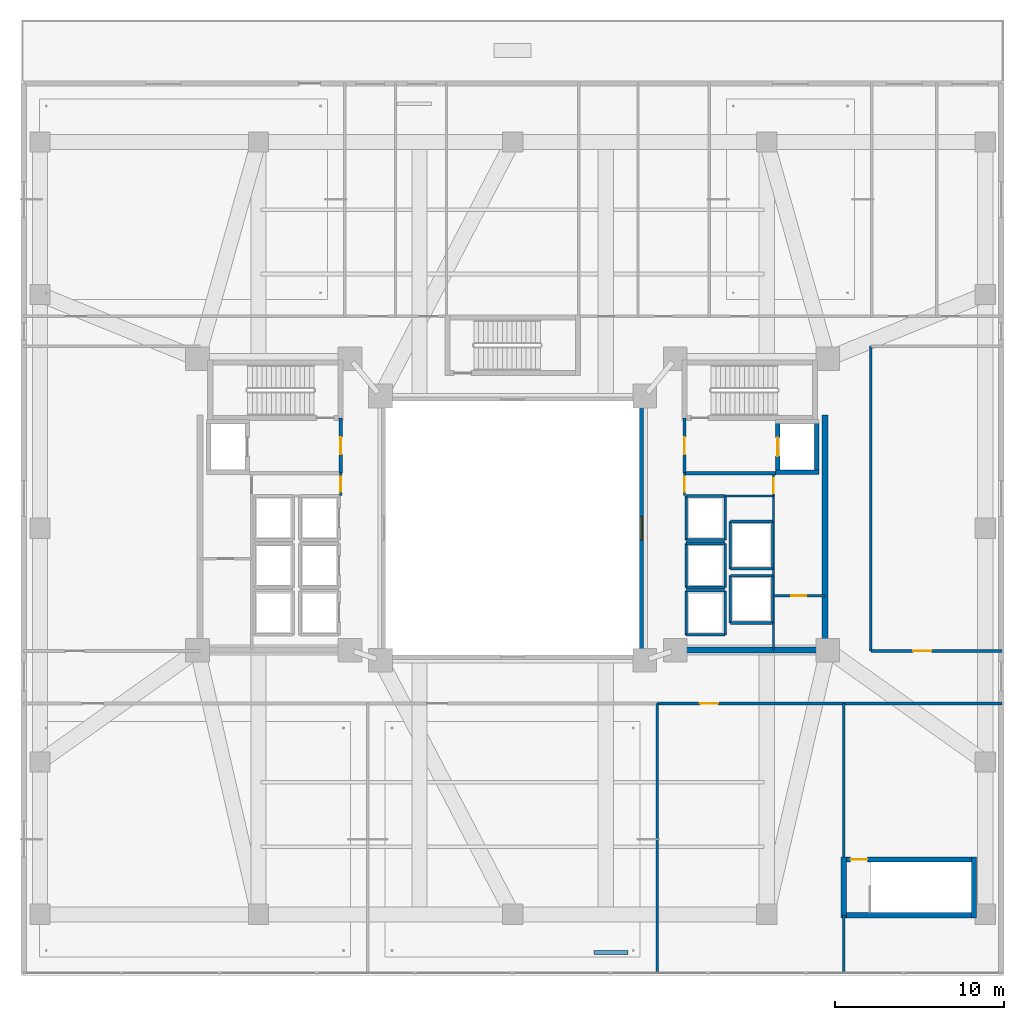
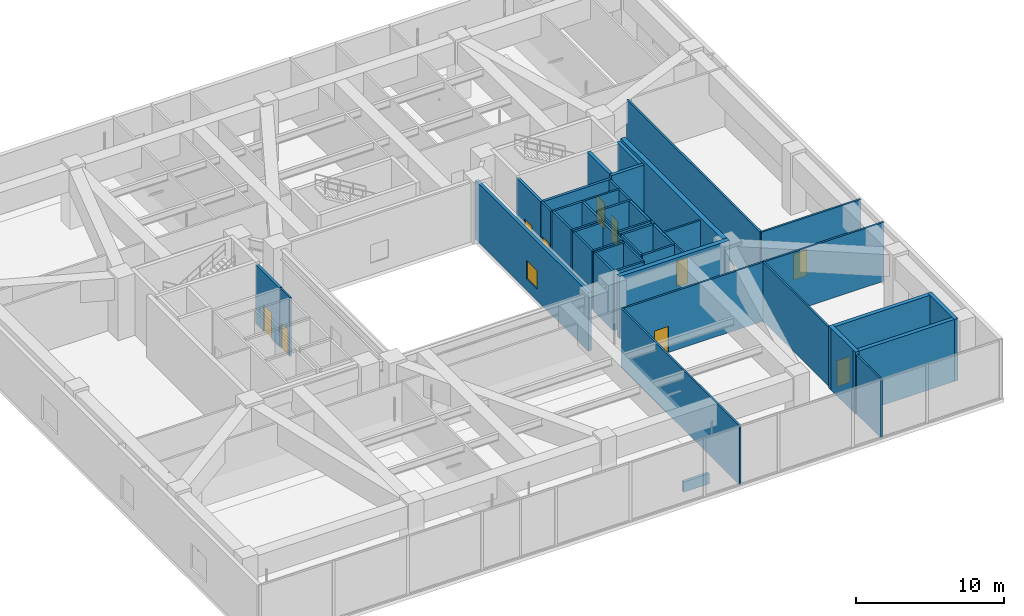
# One storey, part 11 of 21: 45 walls, 10 doors, 1 window, 11 openings.
"""IFC4 building model written with IfcOpenShell, lengths in metres."""

from ifc_helpers import new_model, si_unit, direction, frame, frame_2d, origin, place, context, subcontext, project, spatial, rectangle, extrude, material, layer, layer_set, type_object, element, fill, save


model = new_model("IFC4")

# Units and contexts
model_context = context("Model", 3, precision=1e-05, world=origin(), true_north=direction((0.0, 1.0)))
body_context = subcontext(model_context, "Body", "Model", "MODEL_VIEW")
ifc_project = project(units=[si_unit("LENGTHUNIT", "METRE"), si_unit("AREAUNIT", "SQUARE_METRE"), si_unit("VOLUMEUNIT", "CUBIC_METRE"), si_unit("PLANEANGLEUNIT", "RADIAN"), si_unit("MASSUNIT", "GRAM", prefix="KILO")], contexts=[model_context])

# Site, building, storey
site_placement = place(None, origin())
site = spatial("IfcSite", under=ifc_project, at=site_placement, CompositionType="ELEMENT")
building_placement = place(site_placement, origin())
building = spatial("IfcBuilding", under=site, at=building_placement, Name="Tarnavaz Court Tower", CompositionType="ELEMENT")
storey_placement = place(building_placement, frame((0.0, 0.0, 18.89990234375)))
storey = spatial("IfcBuildingStorey", under=building, at=storey_placement, Name="L04", CompositionType="ELEMENT", Elevation=18.89990234375)

# Wall, opening, door
ifc_material_1 = material(Name="Concrete C60/75", Category="concrete")
ifc_layer_1 = layer(ifc_material_1, 0.25)
ifc_layer_set_1 = layer_set([ifc_layer_1], Name="Concrete C60/75")
wall_type_1 = type_object("IfcWallType", Name="WL-CORE-250-C60", PredefinedType="SHEAR", material=ifc_layer_set_1)
wall_1_placement = place(storey_placement, frame((15.64990234375, 3.175048828125, 0.0), z_axis=(0.0, 0.0, 1.0), x_axis=(0.0, 1.0, 0.0)))
wall_1 = element("IfcWall", 1, at=wall_1_placement, inside=storey, type_object=wall_type_1, Name="L04 Lift FL-E1 Shaft Wall 049", PredefinedType="SHEAR", context=body_context, shape_type="SweptSolid", body=[
    extrude(rectangle(XDim=3.25, YDim=0.25, at=frame_2d((1.625, 0.0))), origin(), (0.0, 0.0, 1.0), 5.10009765625),
])
opening_1_placement = place(wall_1_placement, frame((1.074951171875, 0.0, 0.0)))
opening_1 = element("IfcOpeningElement", 2, at=opening_1_placement, cuts=wall_1, Name="Opening LD1", PredefinedType="OPENING", context=body_context, shape_type="SweptSolid", body=[
    extrude(rectangle(XDim=1.10009765625, YDim=2.14990234375, at=frame_2d((0.550048828125, 1.074951171875))), frame((0.0, 0.135009765625, 0.0), z_axis=(0.0, -1.0, 0.0), x_axis=(1.0, 0.0, 0.0)), (0.0, 0.0, 1.0), 0.27001953125),
])
ifc_material_2 = material(Name="Stainless Steel", Category="steel")
door_type_1 = type_object("IfcDoorType", Name="DR-LD-1100", OperationType="NOTDEFINED", PredefinedType="DOOR", material=ifc_material_2)
door_1_placement = place(opening_1_placement, origin())
door_1 = element("IfcDoor", 3, at=door_1_placement, inside=storey, type_object=door_type_1, Name="L04 Lift Landing Door LD-FL-E1", OperationType="SLIDING_TO_LEFT", OverallHeight=2.14990234375, OverallWidth=1.10009765625, PredefinedType="DOOR", context=body_context, shape_type="SweptSolid", body=[
    extrude(rectangle(XDim=1.10009765625, YDim=2.14990234375, at=frame_2d((0.550048828125, 1.074951171875))), frame((0.0, 0.02490234375, 0.0), z_axis=(0.0, -1.0, 0.0), x_axis=(1.0, 0.0, 0.0)), (0.0, 0.0, 1.0), 0.050048828125),
])
fill(opening_1, door_1)

# Walls
wall_2_placement = place(storey_placement, frame((17.949951171875, 3.175048828125, 0.0), z_axis=(0.0, 0.0, 1.0), x_axis=(0.0, 1.0, 0.0)))
element("IfcWall", 4, at=wall_2_placement, inside=storey, type_object=wall_type_1, Name="L04 Lift FL-E1 Shaft Wall 050", PredefinedType="SHEAR", context=body_context, shape_type="SweptSolid", body=[
    extrude(rectangle(XDim=3.25, YDim=0.25, at=frame_2d((1.625, 0.0))), origin(), (0.0, 0.0, 1.0), 5.10009765625),
])
wall_3_placement = place(storey_placement, frame((15.52490234375, 3.300048828125, 0.0), z_axis=(0.0, 0.0, 1.0), x_axis=(1.0, 0.0, 0.0)))
element("IfcWall", 5, at=wall_3_placement, inside=storey, type_object=wall_type_1, Name="L04 Lift FL-E1 Shaft Wall 051", PredefinedType="SHEAR", context=body_context, shape_type="SweptSolid", body=[
    extrude(rectangle(XDim=2.550048828125, YDim=0.25, at=frame_2d((1.27490234375, 0.0))), origin(), (0.0, 0.0, 1.0), 5.10009765625),
])

# Wall, opening, door
ifc_layer_2 = layer(ifc_material_1, 0.300048828125)
ifc_layer_set_2 = layer_set([ifc_layer_2], Name="Concrete C60/75")
wall_type_2 = type_object("IfcWallType", Name="WL-CORE-300-C60", PredefinedType="SHEAR", material=ifc_layer_set_2)
wall_4_placement = place(storey_placement, frame((19.39990234375, -19.56005859375, 0.0), z_axis=(0.0, 0.0, 1.0), x_axis=(1.0, 0.0, 0.0)))
wall_4 = element("IfcWall", 6, at=wall_4_placement, inside=storey, type_object=wall_type_2, Name="L04 Podium Stair Core Wall 013", PredefinedType="SHEAR", context=body_context, shape_type="SweptSolid", body=[
    extrude(rectangle(XDim=8.0, YDim=0.300048828125, at=frame_2d((4.0, 0.0))), origin(), (0.0, 0.0, 1.0), 5.10009765625),
])
opening_2_placement = place(wall_4_placement, frame((0.550048828125, 0.0, 0.0)))
opening_2 = element("IfcOpeningElement", 7, at=opening_2_placement, cuts=wall_4, Name="Opening D01", PredefinedType="OPENING", context=body_context, shape_type="SweptSolid", body=[
    extrude(rectangle(XDim=1.0, YDim=2.14990234375, at=frame_2d((0.5, 1.074951171875))), frame((0.0, 0.159912109375, 0.0), z_axis=(0.0, -1.0, 0.0), x_axis=(1.0, 0.0, 0.0)), (0.0, 0.0, 1.0), 0.320068359375),
])
ifc_material_3 = material(Name="Fire-Rated Hardwood Timber Core", Category="wood")
door_type_2 = type_object("IfcDoorType", Name="DR-FD90-1000", OperationType="NOTDEFINED", PredefinedType="DOOR", material=ifc_material_3)
door_2_placement = place(opening_2_placement, origin())
door_2 = element("IfcDoor", 8, at=door_2_placement, inside=storey, type_object=door_type_2, Name="L04 Stair ST-P1 Exit Door", OperationType="SINGLE_SWING_RIGHT", OverallHeight=2.14990234375, OverallWidth=1.0, PredefinedType="DOOR", context=body_context, shape_type="SweptSolid", body=[
    extrude(rectangle(XDim=1.0, YDim=2.14990234375, at=frame_2d((0.5, 1.074951171875))), frame((0.0, 0.02490234375, 0.0), z_axis=(0.0, -1.0, 0.0), x_axis=(1.0, 0.0, 0.0)), (0.0, 0.0, 1.0), 0.050048828125),
])
fill(opening_2, door_2)

# Walls
wall_5_placement = place(storey_placement, frame((19.39990234375, -22.85009765625, 0.0), z_axis=(0.0, 0.0, 1.0), x_axis=(1.0, 0.0, 0.0)))
element("IfcWall", 9, at=wall_5_placement, inside=storey, type_object=wall_type_2, Name="L04 Podium Stair Core Wall 014", PredefinedType="SHEAR", context=body_context, shape_type="SweptSolid", body=[
    extrude(rectangle(XDim=8.0, YDim=0.300048828125, at=frame_2d((4.0, 0.0))), origin(), (0.0, 0.0, 1.0), 5.10009765625),
])
for number, where, z_axis, x_axis, name in (
    (10, (19.550048828125, -23.0, 0.0), (0.0, 0.0, 1.0), (0.0, 1.0, 0.0), "L04 Podium Stair Core Wall 015"),
    (11, (27.25, -23.0, 0.0), (0.0, 0.0, 1.0), (0.0, 1.0, 0.0), "L04 Podium Stair Core Wall 016"),
):
    element("IfcWall", number, at=place(storey_placement, frame(where, z_axis=z_axis, x_axis=x_axis)), inside=storey, type_object=wall_type_2, Name=name, PredefinedType="SHEAR", context=body_context, shape_type="SweptSolid", body=[
        extrude(rectangle(XDim=3.590087890625, YDim=0.300048828125, at=frame_2d((1.794921875, 0.0))), origin(), (0.0, 0.0, 1.0), 5.10009765625),
    ])
ifc_layer_3 = layer(ifc_material_1, 0.35009765625)
ifc_layer_set_3 = layer_set([ifc_layer_3], Name="Concrete C60/75")
wall_type_3 = type_object("IfcWallType", Name="WL-CORE-350-C60", PredefinedType="SHEAR", material=ifc_layer_set_3)
wall_6_placement = place(storey_placement, frame((18.449951171875, -7.375, 0.0), z_axis=(0.0, 0.0, 1.0), x_axis=(0.0, 1.0, 0.0)))
element("IfcWall", 12, at=wall_6_placement, inside=storey, type_object=wall_type_3, Name="L04 East Core Shear Wall 075", PredefinedType="SHEAR", context=body_context, shape_type="SweptSolid", body=[
    extrude(rectangle(XDim=14.050048828125, YDim=0.35009765625, at=frame_2d((7.02490234375, 0.0))), origin(), (0.0, 0.0, 1.0), 5.10009765625),
])
wall_7_placement = place(storey_placement, frame((10.074951171875, -7.199951171875, 0.0), z_axis=(0.0, 0.0, 1.0), x_axis=(1.0, 0.0, 0.0)))
element("IfcWall", 13, at=wall_7_placement, inside=storey, type_object=wall_type_3, Name="L04 East Core South Shear Wall 076", PredefinedType="SHEAR", context=body_context, shape_type="SweptSolid", body=[
    extrude(rectangle(XDim=8.550048828125, YDim=0.35009765625, at=frame_2d((4.27490234375, 0.0))), origin(), (0.0, 0.0, 1.0), 5.10009765625),
])
ifc_material_4 = material(Name="Gypsum Fire-Board on Acoustic Metal Stud", Category="masonry")
ifc_layer_4 = layer(ifc_material_4, 0.14990234375)
ifc_layer_set_4 = layer_set([ifc_layer_4], Name="Gypsum Fire-Board on Acoustic Metal Stud")
wall_type_4 = type_object("IfcWallType", Name="WL-FIRE-150", PredefinedType="PARTITIONING", material=ifc_layer_set_4)
wall_8_placement = place(storey_placement, frame((21.14990234375, -7.25, 0.0), z_axis=(0.0, 0.0, 1.0), x_axis=(0.0, 1.0, 0.0)))
element("IfcWall", 14, at=wall_8_placement, inside=storey, type_object=wall_type_4, Name="L04 East Outer Link Wall 087", PredefinedType="PARTITIONING", context=body_context, shape_type="SweptSolid", body=[
    extrude(rectangle(XDim=18.0, YDim=0.14990234375, at=frame_2d((9.0, 0.0))), origin(), (0.0, 0.0, 1.0), 4.85009765625),
])

# Wall, opening, door
wall_9_placement = place(storey_placement, frame((8.550048828125, -10.35009765625, 0.0), z_axis=(0.0, 0.0, 1.0), x_axis=(1.0, 0.0, 0.0)))
wall_9 = element("IfcWall", 15, at=wall_9_placement, inside=storey, type_object=wall_type_4, Name="L04 SE Corridor Wall 090", PredefinedType="PARTITIONING", context=body_context, shape_type="SweptSolid", body=[
    extrude(rectangle(XDim=20.329833984375, YDim=0.14990234375, at=frame_2d((10.1650390625, 0.0))), origin(), (0.0, 0.0, 1.0), 4.85009765625),
])
opening_3_placement = place(wall_9_placement, frame((2.5, 0.0, 0.0)))
opening_3 = element("IfcOpeningElement", 16, at=opening_3_placement, cuts=wall_9, Name="Opening D12", PredefinedType="OPENING", context=body_context, shape_type="SweptSolid", body=[
    extrude(rectangle(XDim=1.080078125, YDim=2.14990234375, at=frame_2d((0.5400390625, 1.074951171875))), frame((0.0, 0.0849609375, 0.0), z_axis=(0.0, -1.0, 0.0), x_axis=(1.0, 0.0, 0.0)), (0.0, 0.0, 1.0), 0.169921875),
])
ifc_material_5 = material(Name="Engineered Oak Timber", Category="wood")
door_type_3 = type_object("IfcDoorType", Name="DR-INT-1100", OperationType="NOTDEFINED", PredefinedType="DOOR", material=ifc_material_5)
door_3_placement = place(opening_3_placement, origin())
door_3 = element("IfcDoor", 17, at=door_3_placement, inside=storey, type_object=door_type_3, Name="L04 South-East Treatment Door", OperationType="SINGLE_SWING_RIGHT", OverallHeight=2.14990234375, OverallWidth=1.080078125, PredefinedType="DOOR", context=body_context, shape_type="SweptSolid", body=[
    extrude(rectangle(XDim=1.080078125, YDim=2.14990234375, at=frame_2d((0.5400390625, 1.074951171875))), frame((0.0, 0.02490234375, 0.0), z_axis=(0.0, -1.0, 0.0), x_axis=(1.0, 0.0, 0.0)), (0.0, 0.0, 1.0), 0.050048828125),
])
fill(opening_3, door_3)

wall_10_placement = place(storey_placement, frame((21.14990234375, -7.25, 0.0), z_axis=(0.0, 0.0, 1.0), x_axis=(1.0, 0.0, 0.0)))
wall_10 = element("IfcWall", 18, at=wall_10_placement, inside=storey, type_object=wall_type_4, Name="L04 Interior Partition 105", PredefinedType="PARTITIONING", context=body_context, shape_type="SweptSolid", body=[
    extrude(rectangle(XDim=7.72998046875, YDim=0.14990234375, at=frame_2d((3.864990234375, 0.0))), origin(), (0.0, 0.0, 1.0), 4.85009765625),
])
opening_4_placement = place(wall_10_placement, frame((2.5, 0.0, 0.0)))
opening_4 = element("IfcOpeningElement", 19, at=opening_4_placement, cuts=wall_10, Name="Opening D12", PredefinedType="OPENING", context=body_context, shape_type="SweptSolid", body=[
    extrude(rectangle(XDim=1.080078125, YDim=2.14990234375, at=frame_2d((0.5400390625, 1.074951171875))), frame((0.0, 0.0849609375, 0.0), z_axis=(0.0, -1.0, 0.0), x_axis=(1.0, 0.0, 0.0)), (0.0, 0.0, 1.0), 0.169921875),
])
door_4_placement = place(opening_4_placement, origin())
door_4 = element("IfcDoor", 20, at=door_4_placement, inside=storey, type_object=door_type_3, Name="L04 East Clinical Lounge Door", OperationType="SINGLE_SWING_RIGHT", OverallHeight=2.14990234375, OverallWidth=1.080078125, PredefinedType="DOOR", context=body_context, shape_type="SweptSolid", body=[
    extrude(rectangle(XDim=1.080078125, YDim=2.14990234375, at=frame_2d((0.5400390625, 1.074951171875))), frame((0.0, 0.02490234375, 0.0), z_axis=(0.0, -1.0, 0.0), x_axis=(1.0, 0.0, 0.0)), (0.0, 0.0, 1.0), 0.050048828125),
])
fill(opening_4, door_4)

ifc_material_6 = material(Name="Autoclaved Aerated Concrete Blockwork", Category="masonry")
ifc_layer_5 = layer(ifc_material_6, 0.199951171875)
ifc_layer_set_5 = layer_set([ifc_layer_5], Name="Autoclaved Aerated Concrete Blockwork")
wall_type_5 = type_object("IfcWallType", Name="WL-FIRE-200", PredefinedType="SOLIDWALL", material=ifc_layer_set_5)
wall_11_placement = place(storey_placement, frame((-10.14990234375, 3.25, 0.0), z_axis=(0.0, 0.0, 1.0), x_axis=(0.0, 1.0, 0.0)))
wall_11 = element("IfcWall", 21, at=wall_11_placement, inside=storey, type_object=wall_type_5, Name="L04 West Firefighting Lobby Wall 018", PredefinedType="SOLIDWALL", context=body_context, shape_type="SweptSolid", body=[
    extrude(rectangle(XDim=3.25, YDim=0.199951171875, at=frame_2d((1.625, 0.0))), origin(), (0.0, 0.0, 1.0), 4.85009765625),
])
opening_5_placement = place(wall_11_placement, frame((1.10009765625, 0.0, 0.0)))
opening_5 = element("IfcOpeningElement", 22, at=opening_5_placement, cuts=wall_11, Name="Opening D05", PredefinedType="OPENING", context=body_context, shape_type="SweptSolid", body=[
    extrude(rectangle(XDim=1.02001953125, YDim=2.14990234375, at=frame_2d((0.510009765625, 1.074951171875))), frame((0.0, 0.10986328125, 0.0), z_axis=(0.0, -1.0, 0.0), x_axis=(1.0, 0.0, 0.0)), (0.0, 0.0, 1.0), 0.219970703125),
])
door_type_4 = type_object("IfcDoorType", Name="DR-FD60-1000", OperationType="NOTDEFINED", PredefinedType="DOOR", material=ifc_material_3)
door_5_placement = place(opening_5_placement, origin())
door_5 = element("IfcDoor", 23, at=door_5_placement, inside=storey, type_object=door_type_4, Name="L04 West Firefighting Lobby Door", OperationType="SINGLE_SWING_RIGHT", OverallHeight=2.14990234375, OverallWidth=1.02001953125, PredefinedType="DOOR", context=body_context, shape_type="SweptSolid", body=[
    extrude(rectangle(XDim=1.02001953125, YDim=2.14990234375, at=frame_2d((0.510009765625, 1.074951171875))), frame((0.0, 0.02490234375, 0.0), z_axis=(0.0, -1.0, 0.0), x_axis=(1.0, 0.0, 0.0)), (0.0, 0.0, 1.0), 0.050048828125),
])
fill(opening_5, door_5)

# Wall
wall_12_placement = place(storey_placement, frame((10.14990234375, 3.25, 0.0), z_axis=(0.0, 0.0, 1.0), x_axis=(1.0, 0.0, 0.0)))
element("IfcWall", 24, at=wall_12_placement, inside=storey, type_object=wall_type_5, Name="L04 East Firefighting Lobby Wall 019", PredefinedType="SOLIDWALL", context=body_context, shape_type="SweptSolid", body=[
    extrude(rectangle(XDim=5.400146484375, YDim=0.199951171875, at=frame_2d((2.7001953125, 0.0))), origin(), (0.0, 0.0, 1.0), 4.85009765625),
])

# Wall, opening, door
wall_13_placement = place(storey_placement, frame((10.14990234375, 3.25, 0.0), z_axis=(0.0, 0.0, 1.0), x_axis=(0.0, 1.0, 0.0)))
wall_13 = element("IfcWall", 25, at=wall_13_placement, inside=storey, type_object=wall_type_5, Name="L04 East Firefighting Lobby Wall 020", PredefinedType="SOLIDWALL", context=body_context, shape_type="SweptSolid", body=[
    extrude(rectangle(XDim=3.25, YDim=0.199951171875, at=frame_2d((1.625, 0.0))), origin(), (0.0, 0.0, 1.0), 4.85009765625),
])
opening_6_placement = place(wall_13_placement, frame((1.10009765625, 0.0, 0.0)))
opening_6 = element("IfcOpeningElement", 26, at=opening_6_placement, cuts=wall_13, Name="Opening D05", PredefinedType="OPENING", context=body_context, shape_type="SweptSolid", body=[
    extrude(rectangle(XDim=1.02001953125, YDim=2.14990234375, at=frame_2d((0.510009765625, 1.074951171875))), frame((0.0, 0.10986328125, 0.0), z_axis=(0.0, -1.0, 0.0), x_axis=(1.0, 0.0, 0.0)), (0.0, 0.0, 1.0), 0.219970703125),
])
door_6_placement = place(opening_6_placement, origin())
door_6 = element("IfcDoor", 27, at=door_6_placement, inside=storey, type_object=door_type_4, Name="L04 East Firefighting Lobby Door", OperationType="SINGLE_SWING_LEFT", OverallHeight=2.14990234375, OverallWidth=1.02001953125, PredefinedType="DOOR", context=body_context, shape_type="SweptSolid", body=[
    extrude(rectangle(XDim=1.02001953125, YDim=2.14990234375, at=frame_2d((0.510009765625, 1.074951171875))), frame((0.0, 0.02490234375, 0.0), z_axis=(0.0, -1.0, 0.0), x_axis=(1.0, 0.0, 0.0)), (0.0, 0.0, 1.0), 0.050048828125),
])
fill(opening_6, door_6)

# Wall
ifc_material_7 = material(Name="Precast Concrete C40/50", Category="concrete")
ifc_layer_6 = layer(ifc_material_7, 0.219970703125)
ifc_layer_set_6 = layer_set([ifc_layer_6], Name="Precast Concrete C40/50")
wall_type_6 = type_object("IfcWallType", Name="WL-PARAPET-220", PredefinedType="PARAPET", material=ifc_layer_set_6)
wall_14_placement = place(storey_placement, frame((4.800048828125, -25.050048828125, 0.0), z_axis=(0.0, 0.0, 1.0), x_axis=(1.0, 0.0, 0.0)))
element("IfcWall", 28, at=wall_14_placement, inside=storey, type_object=wall_type_6, Name="L04 South Prow Terracotta Parapet Upstand", PredefinedType="PARAPET", context=body_context, shape_type="SweptSolid", body=[
    extrude(rectangle(XDim=2.0, YDim=0.219970703125, at=frame_2d((1.0, 0.0))), origin(), (0.0, 0.0, 1.0), 0.85009765625),
])

# Wall, opening, door
ifc_material_8 = material(Name="Gypsum Plasterboard Acoustic Partition", Category="masonry")
ifc_layer_7 = layer(ifc_material_8, 0.139892578125)
ifc_layer_set_7 = layer_set([ifc_layer_7], Name="Gypsum Plasterboard Acoustic Partition")
wall_type_7 = type_object("IfcWallType", Name="WL-PART-150", PredefinedType="PARTITIONING", material=ifc_layer_set_7)
wall_15_placement = place(storey_placement, frame((-10.14990234375, 1.919921875, 0.0), z_axis=(0.0, 0.0, 1.0), x_axis=(0.0, 1.0, 0.0)))
wall_15 = element("IfcWall", 29, at=wall_15_placement, inside=storey, type_object=wall_type_7, Name="L04 Interior Partition 078", PredefinedType="PARTITIONING", context=body_context, shape_type="SweptSolid", body=[
    extrude(rectangle(XDim=1.330078125, YDim=0.139892578125, at=frame_2d((0.6650390625, 0.0))), origin(), (0.0, 0.0, 1.0), 4.85009765625),
])
opening_7_placement = place(wall_15_placement, frame((0.219970703125, 0.0, 0.0)))
opening_7 = element("IfcOpeningElement", 30, at=opening_7_placement, cuts=wall_15, Name="Opening D09", PredefinedType="OPENING", context=body_context, shape_type="SweptSolid", body=[
    extrude(rectangle(XDim=0.89990234375, YDim=2.080078125, at=frame_2d((0.449951171875, 1.0400390625))), frame((0.0, 0.079833984375, 0.0), z_axis=(0.0, -1.0, 0.0), x_axis=(1.0, 0.0, 0.0)), (0.0, 0.0, 1.0), 0.159912109375),
])
door_type_5 = type_object("IfcDoorType", Name="DR-FD30-900", OperationType="NOTDEFINED", PredefinedType="DOOR", material=ifc_material_3)
door_7_placement = place(opening_7_placement, origin())
door_7 = element("IfcDoor", 31, at=door_7_placement, inside=storey, type_object=door_type_5, Name="L04 West Core Service Lobby Door", OperationType="SINGLE_SWING_RIGHT", OverallHeight=2.080078125, OverallWidth=0.89990234375, PredefinedType="DOOR", context=body_context, shape_type="SweptSolid", body=[
    extrude(rectangle(XDim=0.89990234375, YDim=2.080078125, at=frame_2d((0.449951171875, 1.0400390625))), frame((0.0, 0.02490234375, 0.0), z_axis=(0.0, -1.0, 0.0), x_axis=(1.0, 0.0, 0.0)), (0.0, 0.0, 1.0), 0.050048828125),
])
fill(opening_7, door_7)

# Wall
wall_16_placement = place(storey_placement, frame((12.550048828125, 1.89990234375, 0.0), z_axis=(0.0, 0.0, 1.0), x_axis=(1.0, 0.0, 0.0)))
element("IfcWall", 32, at=wall_16_placement, inside=storey, type_object=wall_type_7, Name="L04 Interior Partition 081", PredefinedType="PARTITIONING", context=body_context, shape_type="SweptSolid", body=[
    extrude(rectangle(XDim=2.849853515625, YDim=0.139892578125, at=frame_2d((1.4248046875, 0.0))), origin(), (0.0, 0.0, 1.0), 4.85009765625),
])

# Wall, opening, door
wall_17_placement = place(storey_placement, frame((10.14990234375, 1.919921875, 0.0), z_axis=(0.0, 0.0, 1.0), x_axis=(0.0, 1.0, 0.0)))
wall_17 = element("IfcWall", 33, at=wall_17_placement, inside=storey, type_object=wall_type_7, Name="L04 Interior Partition 082", PredefinedType="PARTITIONING", context=body_context, shape_type="SweptSolid", body=[
    extrude(rectangle(XDim=1.330078125, YDim=0.139892578125, at=frame_2d((0.6650390625, 0.0))), origin(), (0.0, 0.0, 1.0), 4.85009765625),
])
opening_8_placement = place(wall_17_placement, frame((0.219970703125, 0.0, 0.0)))
opening_8 = element("IfcOpeningElement", 34, at=opening_8_placement, cuts=wall_17, Name="Opening D09", PredefinedType="OPENING", context=body_context, shape_type="SweptSolid", body=[
    extrude(rectangle(XDim=0.89990234375, YDim=2.080078125, at=frame_2d((0.449951171875, 1.0400390625))), frame((0.0, 0.079833984375, 0.0), z_axis=(0.0, -1.0, 0.0), x_axis=(1.0, 0.0, 0.0)), (0.0, 0.0, 1.0), 0.159912109375),
])
door_8_placement = place(opening_8_placement, origin())
door_8 = element("IfcDoor", 35, at=door_8_placement, inside=storey, type_object=door_type_5, Name="L04 East Core Service Lobby Door", OperationType="SINGLE_SWING_LEFT", OverallHeight=2.080078125, OverallWidth=0.89990234375, PredefinedType="DOOR", context=body_context, shape_type="SweptSolid", body=[
    extrude(rectangle(XDim=0.89990234375, YDim=2.080078125, at=frame_2d((0.449951171875, 1.0400390625))), frame((0.0, 0.02490234375, 0.0), z_axis=(0.0, -1.0, 0.0), x_axis=(1.0, 0.0, 0.0)), (0.0, 0.0, 1.0), 0.050048828125),
])
fill(opening_8, door_8)

wall_18_placement = place(storey_placement, frame((15.39990234375, -7.199951171875, 0.0), z_axis=(0.0, 0.0, 1.0), x_axis=(0.0, 1.0, 0.0)))
wall_18 = element("IfcWall", 36, at=wall_18_placement, inside=storey, type_object=wall_type_7, Name="L04 Interior Partition 083", PredefinedType="PARTITIONING", context=body_context, shape_type="SweptSolid", body=[
    extrude(rectangle(XDim=10.449951171875, YDim=0.139892578125, at=frame_2d((5.22509765625, 0.0))), origin(), (0.0, 0.0, 1.0), 4.85009765625),
])
opening_9_placement = place(wall_18_placement, frame((9.25, 0.0, 0.0)))
opening_9 = element("IfcOpeningElement", 37, at=opening_9_placement, cuts=wall_18, Name="Opening D09", PredefinedType="OPENING", context=body_context, shape_type="SweptSolid", body=[
    extrude(rectangle(XDim=0.89990234375, YDim=2.080078125, at=frame_2d((0.449951171875, 1.0400390625))), frame((0.0, 0.079833984375, 0.0), z_axis=(0.0, -1.0, 0.0), x_axis=(1.0, 0.0, 0.0)), (0.0, 0.0, 1.0), 0.159912109375),
])
door_9_placement = place(opening_9_placement, origin())
door_9 = element("IfcDoor", 38, at=door_9_placement, inside=storey, type_object=door_type_5, Name="L04 East Wet Riser Door", OperationType="SINGLE_SWING_RIGHT", OverallHeight=2.080078125, OverallWidth=0.89990234375, PredefinedType="DOOR", context=body_context, shape_type="SweptSolid", body=[
    extrude(rectangle(XDim=0.89990234375, YDim=2.080078125, at=frame_2d((0.449951171875, 1.0400390625))), frame((0.0, 0.02490234375, 0.0), z_axis=(0.0, -1.0, 0.0), x_axis=(1.0, 0.0, 0.0)), (0.0, 0.0, 1.0), 0.050048828125),
])
fill(opening_9, door_9)

wall_19_placement = place(storey_placement, frame((15.39990234375, -3.989990234375, 0.0), z_axis=(0.0, 0.0, 1.0), x_axis=(1.0, 0.0, 0.0)))
wall_19 = element("IfcWall", 39, at=wall_19_placement, inside=storey, type_object=wall_type_7, Name="L04 Interior Partition 084", PredefinedType="PARTITIONING", context=body_context, shape_type="SweptSolid", body=[
    extrude(rectangle(XDim=3.050048828125, YDim=0.139892578125, at=frame_2d((1.52490234375, 0.0))), origin(), (0.0, 0.0, 1.0), 4.85009765625),
])
opening_10_placement = place(wall_19_placement, frame((1.050048828125, 0.0, 0.0)))
opening_10 = element("IfcOpeningElement", 40, at=opening_10_placement, cuts=wall_19, Name="Opening D09", PredefinedType="OPENING", context=body_context, shape_type="SweptSolid", body=[
    extrude(rectangle(XDim=0.89990234375, YDim=2.080078125, at=frame_2d((0.449951171875, 1.0400390625))), frame((0.0, 0.079833984375, 0.0), z_axis=(0.0, -1.0, 0.0), x_axis=(1.0, 0.0, 0.0)), (0.0, 0.0, 1.0), 0.159912109375),
])
door_10_placement = place(opening_10_placement, origin())
door_10 = element("IfcDoor", 41, at=door_10_placement, inside=storey, type_object=door_type_5, Name="L04 East Electrical Plant Door", OperationType="SINGLE_SWING_LEFT", OverallHeight=2.080078125, OverallWidth=0.89990234375, PredefinedType="DOOR", context=body_context, shape_type="SweptSolid", body=[
    extrude(rectangle(XDim=0.89990234375, YDim=2.080078125, at=frame_2d((0.449951171875, 1.0400390625))), frame((0.0, 0.02490234375, 0.0), z_axis=(0.0, -1.0, 0.0), x_axis=(1.0, 0.0, 0.0)), (0.0, 0.0, 1.0), 0.050048828125),
])
fill(opening_10, door_10)

# Walls
wall_20_placement = place(storey_placement, frame((8.550048828125, -26.280029296875, 0.0), z_axis=(0.0, 0.0, 1.0), x_axis=(0.0, 1.0, 0.0)))
element("IfcWall", 42, at=wall_20_placement, inside=storey, type_object=wall_type_7, Name="L04 Interior Partition 100", PredefinedType="PARTITIONING", context=body_context, shape_type="SweptSolid", body=[
    extrude(rectangle(XDim=15.929931640625, YDim=0.139892578125, at=frame_2d((7.96484375, 0.0))), origin(), (0.0, 0.0, 1.0), 4.85009765625),
])
wall_21_placement = place(storey_placement, frame((19.550048828125, -26.280029296875, 0.0), z_axis=(0.0, 0.0, 1.0), x_axis=(0.0, 1.0, 0.0)))
element("IfcWall", 43, at=wall_21_placement, inside=storey, type_object=wall_type_7, Name="L04 Interior Partition 101", PredefinedType="PARTITIONING", context=body_context, shape_type="SweptSolid", body=[
    extrude(rectangle(XDim=3.429931640625, YDim=0.139892578125, at=frame_2d((1.71484375, 0.0))), origin(), (0.0, 0.0, 1.0), 4.85009765625),
])
wall_22_placement = place(storey_placement, frame((19.550048828125, -19.56005859375, 0.0), z_axis=(0.0, 0.0, 1.0), x_axis=(0.0, 1.0, 0.0)))
element("IfcWall", 44, at=wall_22_placement, inside=storey, type_object=wall_type_7, Name="L04 Interior Partition 102", PredefinedType="PARTITIONING", context=body_context, shape_type="SweptSolid", body=[
    extrude(rectangle(XDim=9.2099609375, YDim=0.139892578125, at=frame_2d((4.60498046875, 0.0))), origin(), (0.0, 0.0, 1.0), 4.85009765625),
])
ifc_layer_8 = layer(ifc_material_6, 0.159912109375)
ifc_layer_set_8 = layer_set([ifc_layer_8], Name="Autoclaved Aerated Concrete Blockwork")
wall_type_8 = type_object("IfcWallType", Name="WL-SHAFT-150", PredefinedType="SOLIDWALL", material=ifc_layer_set_8)
for number, where, z_axis, x_axis, name in (
    (45, (10.25, -6.300048828125, 0.0), (0.0, 0.0, 1.0), (0.0, 1.0, 0.0), "L04 Lift PL-M1 Shaft Wall 053"),
    (46, (12.550048828125, -6.300048828125, 0.0), (0.0, 0.0, 1.0), (0.0, 1.0, 0.0), "L04 Lift PL-M1 Shaft Wall 054"),
):
    element("IfcWall", number, at=place(storey_placement, frame(where, z_axis=z_axis, x_axis=x_axis)), inside=storey, type_object=wall_type_8, Name=name, PredefinedType="SOLIDWALL", context=body_context, shape_type="SweptSolid", body=[
        extrude(rectangle(XDim=2.60009765625, YDim=0.159912109375, at=frame_2d((1.300048828125, 0.0))), origin(), (0.0, 0.0, 1.0), 4.85009765625),
    ])
for number, where, z_axis, x_axis, name in (
    (47, (10.25, -6.300048828125, 0.0), (0.0, 0.0, 1.0), (1.0, 0.0, 0.0), "L04 Lift PL-M1 Shaft Wall 055"),
    (48, (10.25, -3.699951171875, 0.0), (0.0, 0.0, 1.0), (1.0, 0.0, 0.0), "L04 Lift PL-M1 Shaft Wall 056"),
):
    element("IfcWall", number, at=place(storey_placement, frame(where, z_axis=z_axis, x_axis=x_axis)), inside=storey, type_object=wall_type_8, Name=name, PredefinedType="SOLIDWALL", context=body_context, shape_type="SweptSolid", body=[
        extrude(rectangle(XDim=2.300048828125, YDim=0.159912109375, at=frame_2d((1.14990234375, 0.0))), origin(), (0.0, 0.0, 1.0), 4.85009765625),
    ])
for number, where, z_axis, x_axis, name in (
    (49, (10.25, -3.5, 0.0), (0.0, 0.0, 1.0), (0.0, 1.0, 0.0), "L04 Lift PL-M2 Shaft Wall 057"),
    (50, (12.550048828125, -3.5, 0.0), (0.0, 0.0, 1.0), (0.0, 1.0, 0.0), "L04 Lift PL-M2 Shaft Wall 058"),
):
    element("IfcWall", number, at=place(storey_placement, frame(where, z_axis=z_axis, x_axis=x_axis)), inside=storey, type_object=wall_type_8, Name=name, PredefinedType="SOLIDWALL", context=body_context, shape_type="SweptSolid", body=[
        extrude(rectangle(XDim=2.60009765625, YDim=0.159912109375, at=frame_2d((1.300048828125, 0.0))), origin(), (0.0, 0.0, 1.0), 4.85009765625),
    ])
for number, where, z_axis, x_axis, name in (
    (51, (10.25, -3.5, 0.0), (0.0, 0.0, 1.0), (1.0, 0.0, 0.0), "L04 Lift PL-M2 Shaft Wall 059"),
    (52, (10.25, -0.89990234375, 0.0), (0.0, 0.0, 1.0), (1.0, 0.0, 0.0), "L04 Lift PL-M2 Shaft Wall 060"),
):
    element("IfcWall", number, at=place(storey_placement, frame(where, z_axis=z_axis, x_axis=x_axis)), inside=storey, type_object=wall_type_8, Name=name, PredefinedType="SOLIDWALL", context=body_context, shape_type="SweptSolid", body=[
        extrude(rectangle(XDim=2.300048828125, YDim=0.159912109375, at=frame_2d((1.14990234375, 0.0))), origin(), (0.0, 0.0, 1.0), 4.85009765625),
    ])
for number, where, z_axis, x_axis, name in (
    (53, (10.25, -0.699951171875, 0.0), (0.0, 0.0, 1.0), (0.0, 1.0, 0.0), "L04 Lift PL-M3 Shaft Wall 061"),
    (54, (12.550048828125, -0.699951171875, 0.0), (0.0, 0.0, 1.0), (0.0, 1.0, 0.0), "L04 Lift PL-M3 Shaft Wall 062"),
):
    element("IfcWall", number, at=place(storey_placement, frame(where, z_axis=z_axis, x_axis=x_axis)), inside=storey, type_object=wall_type_8, Name=name, PredefinedType="SOLIDWALL", context=body_context, shape_type="SweptSolid", body=[
        extrude(rectangle(XDim=2.599853515625, YDim=0.159912109375, at=frame_2d((1.2998046875, 0.0))), origin(), (0.0, 0.0, 1.0), 4.85009765625),
    ])
for number, where, z_axis, x_axis, name in (
    (55, (10.25, -0.699951171875, 0.0), (0.0, 0.0, 1.0), (1.0, 0.0, 0.0), "L04 Lift PL-M3 Shaft Wall 063"),
    (56, (10.25, 1.89990234375, 0.0), (0.0, 0.0, 1.0), (1.0, 0.0, 0.0), "L04 Lift PL-M3 Shaft Wall 064"),
):
    element("IfcWall", number, at=place(storey_placement, frame(where, z_axis=z_axis, x_axis=x_axis)), inside=storey, type_object=wall_type_8, Name=name, PredefinedType="SOLIDWALL", context=body_context, shape_type="SweptSolid", body=[
        extrude(rectangle(XDim=2.300048828125, YDim=0.159912109375, at=frame_2d((1.14990234375, 0.0))), origin(), (0.0, 0.0, 1.0), 4.85009765625),
    ])
for number, where, z_axis, x_axis, name in (
    (57, (12.85009765625, -5.60009765625, 0.0), (0.0, 0.0, 1.0), (0.0, 1.0, 0.0), "L04 Lift PL-OB1 Shaft Wall 065"),
    (58, (15.35009765625, -5.60009765625, 0.0), (0.0, 0.0, 1.0), (0.0, 1.0, 0.0), "L04 Lift PL-OB1 Shaft Wall 066"),
):
    element("IfcWall", number, at=place(storey_placement, frame(where, z_axis=z_axis, x_axis=x_axis)), inside=storey, type_object=wall_type_8, Name=name, PredefinedType="SOLIDWALL", context=body_context, shape_type="SweptSolid", body=[
        extrude(rectangle(XDim=2.800048828125, YDim=0.159912109375, at=frame_2d((1.39990234375, 0.0))), origin(), (0.0, 0.0, 1.0), 4.85009765625),
    ])
for number, where, z_axis, x_axis, name in (
    (59, (12.85009765625, -5.60009765625, 0.0), (0.0, 0.0, 1.0), (1.0, 0.0, 0.0), "L04 Lift PL-OB1 Shaft Wall 067"),
    (60, (12.85009765625, -2.800048828125, 0.0), (0.0, 0.0, 1.0), (1.0, 0.0, 0.0), "L04 Lift PL-OB1 Shaft Wall 068"),
):
    element("IfcWall", number, at=place(storey_placement, frame(where, z_axis=z_axis, x_axis=x_axis)), inside=storey, type_object=wall_type_8, Name=name, PredefinedType="SOLIDWALL", context=body_context, shape_type="SweptSolid", body=[
        extrude(rectangle(XDim=2.5, YDim=0.159912109375, at=frame_2d((1.25, 0.0))), origin(), (0.0, 0.0, 1.0), 4.85009765625),
    ])
for number, where, z_axis, x_axis, name in (
    (61, (12.85009765625, -2.39990234375, 0.0), (0.0, 0.0, 1.0), (0.0, 1.0, 0.0), "L04 Lift PL-OB2 Shaft Wall 069"),
    (62, (15.35009765625, -2.39990234375, 0.0), (0.0, 0.0, 1.0), (0.0, 1.0, 0.0), "L04 Lift PL-OB2 Shaft Wall 070"),
):
    element("IfcWall", number, at=place(storey_placement, frame(where, z_axis=z_axis, x_axis=x_axis)), inside=storey, type_object=wall_type_8, Name=name, PredefinedType="SOLIDWALL", context=body_context, shape_type="SweptSolid", body=[
        extrude(rectangle(XDim=2.7998046875, YDim=0.159912109375, at=frame_2d((1.39990234375, 0.0))), origin(), (0.0, 0.0, 1.0), 4.85009765625),
    ])
for number, where, z_axis, x_axis, name in (
    (63, (12.85009765625, -2.39990234375, 0.0), (0.0, 0.0, 1.0), (1.0, 0.0, 0.0), "L04 Lift PL-OB2 Shaft Wall 071"),
    (64, (12.85009765625, 0.39990234375, 0.0), (0.0, 0.0, 1.0), (1.0, 0.0, 0.0), "L04 Lift PL-OB2 Shaft Wall 072"),
):
    element("IfcWall", number, at=place(storey_placement, frame(where, z_axis=z_axis, x_axis=x_axis)), inside=storey, type_object=wall_type_8, Name=name, PredefinedType="SOLIDWALL", context=body_context, shape_type="SweptSolid", body=[
        extrude(rectangle(XDim=2.5, YDim=0.159912109375, at=frame_2d((1.25, 0.0))), origin(), (0.0, 0.0, 1.0), 4.85009765625),
    ])

# Wall, opening, window
ifc_layer_9 = layer(ifc_material_7, 0.239990234375)
ifc_layer_set_9 = layer_set([ifc_layer_9], Name="Precast Concrete C40/50")
wall_type_9 = type_object("IfcWallType", Name="WL-WELL-240", PredefinedType="SOLIDWALL", material=ifc_layer_set_9)
wall_23_placement = place(storey_placement, frame((7.6201171875, -7.6201171875, 0.0), z_axis=(0.0, 0.0, 1.0), x_axis=(0.0, 1.0, 0.0)))
wall_23 = element("IfcWall", 65, at=wall_23_placement, inside=storey, type_object=wall_type_9, Name="L04 Badgir Light-Well Exterior Wall E", PredefinedType="SOLIDWALL", context=body_context, shape_type="SweptSolid", body=[
    extrude(rectangle(XDim=15.240234375, YDim=0.239990234375, at=frame_2d((7.6201171875, 0.0))), origin(), (0.0, 0.0, 1.0), 4.85009765625),
])
opening_11_placement = place(wall_23_placement, frame((6.919921875, 0.0, 0.949951171875)))
opening_11 = element("IfcOpeningElement", 66, at=opening_11_placement, cuts=wall_23, Name="Opening W13", PredefinedType="OPENING", context=body_context, shape_type="SweptSolid", body=[
    extrude(rectangle(XDim=1.39990234375, YDim=1.5, at=frame_2d((0.699951171875, 0.75))), frame((0.0, 0.1298828125, 0.0), z_axis=(0.0, -1.0, 0.0), x_axis=(1.0, 0.0, 0.0)), (0.0, 0.0, 1.0), 0.260009765625),
])
ifc_material_9 = material(Name="Double-Glazed Solar Low-E Glass", Category="glass")
window_type = type_object("IfcWindowType", Name="WN-WEL-1400", PartitioningType="SINGLE_PANEL", PredefinedType="WINDOW", material=ifc_material_9)
window_placement = place(opening_11_placement, origin())
window = element("IfcWindow", 67, at=window_placement, inside=storey, type_object=window_type, Name="L04 Courtyard Gallery Window E", OverallHeight=1.5, OverallWidth=1.39990234375, PartitioningType="SINGLE_PANEL", PredefinedType="WINDOW", context=body_context, shape_type="SweptSolid", body=[
    extrude(rectangle(XDim=1.39990234375, YDim=1.5, at=frame_2d((0.699951171875, 0.75))), frame((0.0, 0.030029296875, 0.0), z_axis=(0.0, -1.0, 0.0), x_axis=(1.0, 0.0, 0.0)), (0.0, 0.0, 1.0), 0.06005859375),
])
fill(opening_11, window)

save(model, "model.ifc")
